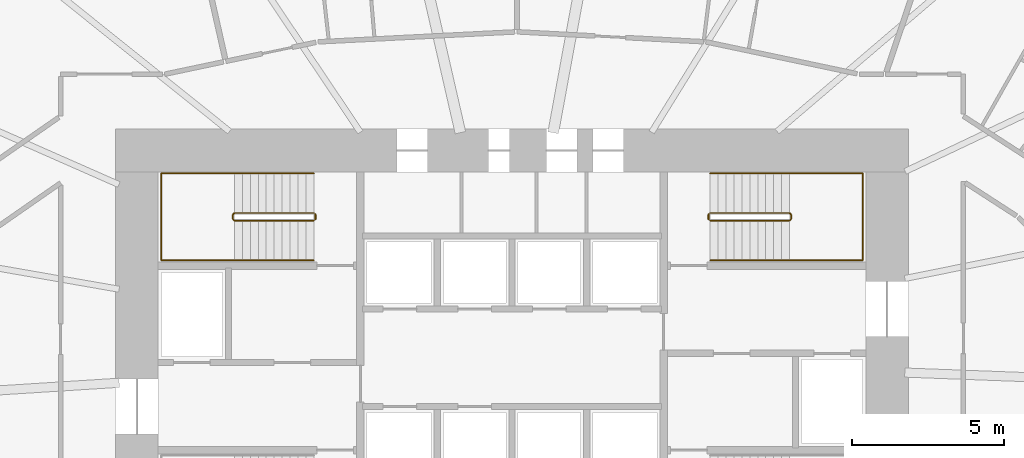
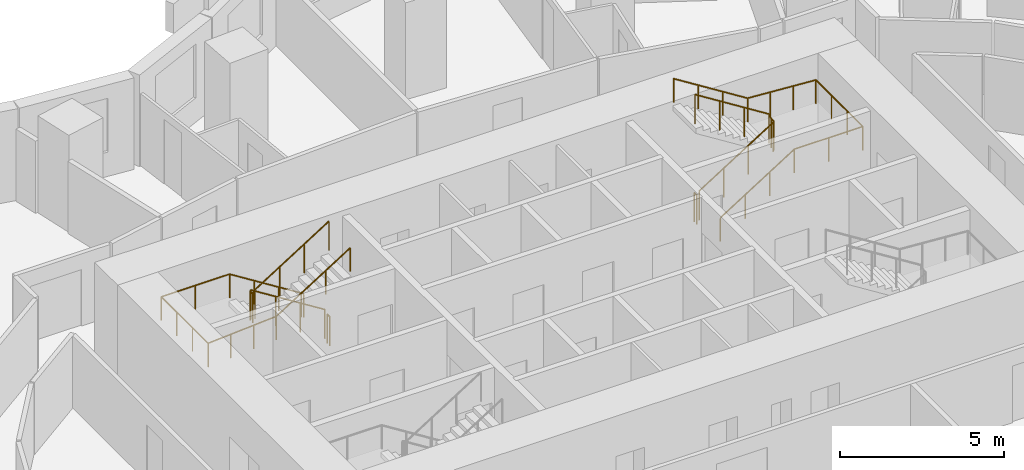
# One storey, part 14 of 14: 6 railings.
"""IFC4 building model written with IfcOpenShell, lengths in metres."""

from ifc_helpers import new_model, si_unit, direction, frame, origin, origin_2d, place, context, subcontext, project, spatial, circle, extrude, material, type_object, element, save


model = new_model("IFC4")

# Units and contexts
model_context = context("Model", 3, precision=1e-05, world=origin(), true_north=direction((0.0, 1.0)))
body_context = subcontext(model_context, "Body", "Model", "MODEL_VIEW")
ifc_project = project(units=[si_unit("LENGTHUNIT", "METRE"), si_unit("AREAUNIT", "SQUARE_METRE"), si_unit("VOLUMEUNIT", "CUBIC_METRE"), si_unit("PLANEANGLEUNIT", "RADIAN"), si_unit("MASSUNIT", "GRAM", prefix="KILO")], contexts=[model_context])

# Site, building, storey
site_placement = place(None, origin())
site = spatial("IfcSite", under=ifc_project, at=site_placement, CompositionType="ELEMENT")
building_placement = place(site_placement, origin())
building = spatial("IfcBuilding", under=site, at=building_placement, Name="Rubra Terraces Tower", CompositionType="ELEMENT")
storey_placement = place(building_placement, frame((0.0, 0.0, 62.699951171875)))
storey = spatial("IfcBuildingStorey", under=building, at=storey_placement, Name="L13", CompositionType="ELEMENT", Elevation=62.699951171875)

# Railings
ifc_material = material(Name="Stainless steel", Category="steel")
railing_type_1 = type_object("IfcRailingType", Name="Core stair guard 1100", PredefinedType="GUARDRAIL", material=ifc_material)
railing_1_placement = place(storey_placement, frame((-6.5, 9.25, 0.16357421875)))
element("IfcRailing", 1, at=railing_1_placement, inside=storey, type_object=railing_type_1, Name="L13 stair S2 guard 1", PredefinedType="GUARDRAIL", context=body_context, shape_type="SweptSolid", body=[
    extrude(circle(Radius=0.02392578125, at=origin_2d()), frame((0.0, 0.0, 1.076171875), z_axis=(-0.846324394277, 0.0, 0.532667832379), x_axis=(0.0, -1.0, 0.0)), (0.0, 0.0, 1.0), 3.072265625),
    extrude(circle(Radius=0.02392578125, at=origin_2d()), frame((-2.60009765625, 0.0, 2.71240234375), z_axis=(-0.705375805398, -0.708833529934, 0.0), x_axis=(0.708833529934, -0.705375805398, 0.0)), (0.0, 0.0, 1.0), 0.070556640625),
    extrude(circle(Radius=0.02392578125, at=origin_2d()), frame((-2.64990234375, -0.050048828125, 2.71240234375), z_axis=(0.0, -1.0, 0.0), x_axis=(1.0, 0.0, 0.0)), (0.0, 0.0, 1.0), 0.14990234375),
    extrude(circle(Radius=0.02392578125, at=origin_2d()), frame((-2.64990234375, -0.199951171875, 2.71240234375), z_axis=(0.279546231943, -0.280916556609, 0.91811752648), x_axis=(0.708833529934, 0.705375805398, 0.0)), (0.0, 0.0, 1.0), 0.17822265625),
    extrude(circle(Radius=0.02392578125, at=origin_2d()), frame((-2.60009765625, -0.25, 2.8759765625), z_axis=(0.846324394277, 0.0, 0.532667832379), x_axis=(0.0, 1.0, 0.0)), (0.0, 0.0, 1.0), 3.072265625),
    extrude(circle(Radius=0.02099609375, at=origin_2d()), origin(), (0.0, 0.0, 1.0), 1.052001953125),
    extrude(circle(Radius=0.02099609375, at=origin_2d()), frame((-0.86669921875, 0.0, 0.54541015625)), (0.0, 0.0, 1.0), 1.052001953125),
    extrude(circle(Radius=0.02099609375, at=origin_2d()), frame((-1.7333984375, 0.0, 1.091064453125)), (0.0, 0.0, 1.0), 1.052001953125),
    extrude(circle(Radius=0.02099609375, at=origin_2d()), frame((-2.60009765625, 0.0, 1.636474609375)), (0.0, 0.0, 1.0), 1.052001953125),
    extrude(circle(Radius=0.02099609375, at=origin_2d()), frame((-2.64990234375, -0.050048828125, 1.636474609375)), (0.0, 0.0, 1.0), 1.052001953125),
    extrude(circle(Radius=0.02099609375, at=origin_2d()), frame((-2.64990234375, -0.199951171875, 1.636474609375)), (0.0, 0.0, 1.0), 1.052001953125),
    extrude(circle(Radius=0.02099609375, at=origin_2d()), frame((-2.60009765625, -0.25, 1.800048828125)), (0.0, 0.0, 1.0), 1.052001953125),
    extrude(circle(Radius=0.02099609375, at=origin_2d()), frame((-1.7333984375, -0.25, 2.345458984375)), (0.0, 0.0, 1.0), 1.052001953125),
    extrude(circle(Radius=0.02099609375, at=origin_2d()), frame((-0.86669921875, -0.25, 2.89111328125)), (0.0, 0.0, 1.0), 1.052001953125),
    extrude(circle(Radius=0.02099609375, at=origin_2d()), frame((0.0, -0.25, 3.4365234375)), (0.0, 0.0, 1.0), 1.052001953125),
])
railing_2_placement = place(storey_placement, frame((-6.449951171875, 9.199951171875, 0.0)))
element("IfcRailing", 2, at=railing_2_placement, inside=storey, type_object=railing_type_1, Name="L13 stair S2 guard 2", PredefinedType="GUARDRAIL", context=body_context, shape_type="SweptSolid", body=[
    extrude(circle(Radius=0.02392578125, at=origin_2d()), frame((0.0, 0.0, 1.076171875), z_axis=(0.0, -1.0, 0.0), x_axis=(1.0, 0.0, 0.0)), (0.0, 0.0, 1.0), 0.14990234375),
    extrude(circle(Radius=0.02099609375, at=origin_2d()), origin(), (0.0, 0.0, 1.0), 1.052001953125),
    extrude(circle(Radius=0.02099609375, at=origin_2d()), frame((0.0, -0.14990234375, 0.0)), (0.0, 0.0, 1.0), 1.052001953125),
])
railing_3_placement = place(storey_placement, frame((6.5, 9.0, 0.16357421875)))
element("IfcRailing", 3, at=railing_3_placement, inside=storey, type_object=railing_type_1, Name="L13 stair S3 guard 1", PredefinedType="GUARDRAIL", context=body_context, shape_type="SweptSolid", body=[
    extrude(circle(Radius=0.02392578125, at=origin_2d()), frame((0.0, 0.0, 1.076171875), z_axis=(0.846324394277, 0.0, 0.532667832379), x_axis=(0.0, 1.0, 0.0)), (0.0, 0.0, 1.0), 3.072265625),
    extrude(circle(Radius=0.02392578125, at=origin_2d()), frame((2.60009765625, 0.0, 2.71240234375), z_axis=(0.705375805398, 0.708833529934, 0.0), x_axis=(-0.708833529934, 0.705375805398, 0.0)), (0.0, 0.0, 1.0), 0.070556640625),
    extrude(circle(Radius=0.02392578125, at=origin_2d()), frame((2.64990234375, 0.050048828125, 2.71240234375), z_axis=(0.0, 1.0, 0.0), x_axis=(-1.0, 0.0, 0.0)), (0.0, 0.0, 1.0), 0.14990234375),
    extrude(circle(Radius=0.02392578125, at=origin_2d()), frame((2.64990234375, 0.199951171875, 2.71240234375), z_axis=(-0.279546231943, 0.280916556609, 0.91811752648), x_axis=(-0.708833529934, -0.705375805398, 0.0)), (0.0, 0.0, 1.0), 0.17822265625),
    extrude(circle(Radius=0.02392578125, at=origin_2d()), frame((2.60009765625, 0.25, 2.8759765625), z_axis=(-0.846324394277, 0.0, 0.532667832379), x_axis=(0.0, -1.0, 0.0)), (0.0, 0.0, 1.0), 3.072265625),
    extrude(circle(Radius=0.02099609375, at=origin_2d()), origin(), (0.0, 0.0, 1.0), 1.052001953125),
    extrude(circle(Radius=0.02099609375, at=origin_2d()), frame((0.86669921875, 0.0, 0.54541015625)), (0.0, 0.0, 1.0), 1.052001953125),
    extrude(circle(Radius=0.02099609375, at=origin_2d()), frame((1.7333984375, 0.0, 1.091064453125)), (0.0, 0.0, 1.0), 1.052001953125),
    extrude(circle(Radius=0.02099609375, at=origin_2d()), frame((2.60009765625, 0.0, 1.636474609375)), (0.0, 0.0, 1.0), 1.052001953125),
    extrude(circle(Radius=0.02099609375, at=origin_2d()), frame((2.64990234375, 0.050048828125, 1.636474609375)), (0.0, 0.0, 1.0), 1.052001953125),
    extrude(circle(Radius=0.02099609375, at=origin_2d()), frame((2.64990234375, 0.199951171875, 1.636474609375)), (0.0, 0.0, 1.0), 1.052001953125),
    extrude(circle(Radius=0.02099609375, at=origin_2d()), frame((2.60009765625, 0.25, 1.800048828125)), (0.0, 0.0, 1.0), 1.052001953125),
    extrude(circle(Radius=0.02099609375, at=origin_2d()), frame((1.7333984375, 0.25, 2.345458984375)), (0.0, 0.0, 1.0), 1.052001953125),
    extrude(circle(Radius=0.02099609375, at=origin_2d()), frame((0.86669921875, 0.25, 2.89111328125)), (0.0, 0.0, 1.0), 1.052001953125),
    extrude(circle(Radius=0.02099609375, at=origin_2d()), frame((0.0, 0.25, 3.4365234375)), (0.0, 0.0, 1.0), 1.052001953125),
])
railing_4_placement = place(storey_placement, frame((6.449951171875, 9.050048828125, 0.0)))
element("IfcRailing", 4, at=railing_4_placement, inside=storey, type_object=railing_type_1, Name="L13 stair S3 guard 2", PredefinedType="GUARDRAIL", context=body_context, shape_type="SweptSolid", body=[
    extrude(circle(Radius=0.02392578125, at=origin_2d()), frame((0.0, 0.0, 1.076171875), z_axis=(0.0, 1.0, 0.0), x_axis=(-1.0, 0.0, 0.0)), (0.0, 0.0, 1.0), 0.14990234375),
    extrude(circle(Radius=0.02099609375, at=origin_2d()), origin(), (0.0, 0.0, 1.0), 1.052001953125),
    extrude(circle(Radius=0.02099609375, at=origin_2d()), frame((0.0, 0.14990234375, 0.0)), (0.0, 0.0, 1.0), 1.052001953125),
])
railing_type_2 = type_object("IfcRailingType", Name="Core stair handrail 900", PredefinedType="HANDRAIL", material=ifc_material)
railing_5_placement = place(storey_placement, frame((-6.5, 10.550048828125, 0.16357421875)))
element("IfcRailing", 5, at=railing_5_placement, inside=storey, type_object=railing_type_2, Name="L13 stair S2 handrail 1", PredefinedType="HANDRAIL", context=body_context, shape_type="SweptSolid", body=[
    extrude(circle(Radius=0.02392578125, at=origin_2d()), frame((0.0, 0.0, 0.8759765625), z_axis=(-0.846324394277, 0.0, 0.532667832379), x_axis=(0.0, -1.0, 0.0)), (0.0, 0.0, 1.0), 3.072265625),
    extrude(circle(Radius=0.02392578125, at=origin_2d()), frame((-2.60009765625, 0.0, 2.51220703125), z_axis=(-1.0, 0.0, 0.0), x_axis=(0.0, -1.0, 0.0)), (0.0, 0.0, 1.0), 2.39990234375),
    extrude(circle(Radius=0.02392578125, at=origin_2d()), frame((-5.0, 0.0, 2.51220703125), z_axis=(0.0, -1.0, 0.0), x_axis=(1.0, 0.0, 0.0)), (0.0, 0.0, 1.0), 2.85009765625),
    extrude(circle(Radius=0.02392578125, at=origin_2d()), frame((-5.0, -2.85009765625, 2.51220703125), z_axis=(0.997685257876, 0.0, 0.068000928055), x_axis=(0.0, 1.0, 0.0)), (0.0, 0.0, 1.0), 2.405517578125),
    extrude(circle(Radius=0.02392578125, at=origin_2d()), frame((-2.60009765625, -2.85009765625, 2.67578125), z_axis=(0.846324394277, 0.0, 0.532667832379), x_axis=(0.0, 1.0, 0.0)), (0.0, 0.0, 1.0), 3.072265625),
    extrude(circle(Radius=0.02099609375, at=origin_2d()), origin(), (0.0, 0.0, 1.0), 0.851806640625),
    extrude(circle(Radius=0.02099609375, at=origin_2d()), frame((-0.86669921875, 0.0, 0.54541015625)), (0.0, 0.0, 1.0), 0.851806640625),
    extrude(circle(Radius=0.02099609375, at=origin_2d()), frame((-1.7333984375, 0.0, 1.091064453125)), (0.0, 0.0, 1.0), 0.851806640625),
    extrude(circle(Radius=0.02099609375, at=origin_2d()), frame((-2.60009765625, 0.0, 1.636474609375)), (0.0, 0.0, 1.0), 0.851806640625),
    extrude(circle(Radius=0.02099609375, at=origin_2d()), frame((-3.800048828125, 0.0, 1.636474609375)), (0.0, 0.0, 1.0), 0.851806640625),
    extrude(circle(Radius=0.02099609375, at=origin_2d()), frame((-5.0, 0.0, 1.636474609375)), (0.0, 0.0, 1.0), 0.851806640625),
    extrude(circle(Radius=0.02099609375, at=origin_2d()), frame((-5.0, -0.949951171875, 1.636474609375)), (0.0, 0.0, 1.0), 0.851806640625),
    extrude(circle(Radius=0.02099609375, at=origin_2d()), frame((-5.0, -1.900146484375, 1.636474609375)), (0.0, 0.0, 1.0), 0.851806640625),
    extrude(circle(Radius=0.02099609375, at=origin_2d()), frame((-5.0, -2.85009765625, 1.636474609375)), (0.0, 0.0, 1.0), 0.851806640625),
    extrude(circle(Radius=0.02099609375, at=origin_2d()), frame((-4.199951171875, -2.85009765625, 1.69091796875)), (0.0, 0.0, 1.0), 0.851806640625),
    extrude(circle(Radius=0.02099609375, at=origin_2d()), frame((-3.400146484375, -2.85009765625, 1.74560546875)), (0.0, 0.0, 1.0), 0.851806640625),
    extrude(circle(Radius=0.02099609375, at=origin_2d()), frame((-2.60009765625, -2.85009765625, 1.800048828125)), (0.0, 0.0, 1.0), 0.851806640625),
    extrude(circle(Radius=0.02099609375, at=origin_2d()), frame((-1.7333984375, -2.85009765625, 2.345458984375)), (0.0, 0.0, 1.0), 0.851806640625),
    extrude(circle(Radius=0.02099609375, at=origin_2d()), frame((-0.86669921875, -2.85009765625, 2.89111328125)), (0.0, 0.0, 1.0), 0.851806640625),
    extrude(circle(Radius=0.02099609375, at=origin_2d()), frame((0.0, -2.85009765625, 3.4365234375)), (0.0, 0.0, 1.0), 0.851806640625),
])
railing_6_placement = place(storey_placement, frame((6.5, 7.699951171875, 0.16357421875)))
element("IfcRailing", 6, at=railing_6_placement, inside=storey, type_object=railing_type_2, Name="L13 stair S3 handrail 1", PredefinedType="HANDRAIL", context=body_context, shape_type="SweptSolid", body=[
    extrude(circle(Radius=0.02392578125, at=origin_2d()), frame((0.0, 0.0, 0.8759765625), z_axis=(0.846324394277, 0.0, 0.532667832379), x_axis=(0.0, 1.0, 0.0)), (0.0, 0.0, 1.0), 3.072265625),
    extrude(circle(Radius=0.02392578125, at=origin_2d()), frame((2.60009765625, 0.0, 2.51220703125), z_axis=(1.0, 0.0, 0.0), x_axis=(0.0, 1.0, 0.0)), (0.0, 0.0, 1.0), 2.39990234375),
    extrude(circle(Radius=0.02392578125, at=origin_2d()), frame((5.0, 0.0, 2.51220703125), z_axis=(0.0, 1.0, 0.0), x_axis=(-1.0, 0.0, 0.0)), (0.0, 0.0, 1.0), 2.85009765625),
    extrude(circle(Radius=0.02392578125, at=origin_2d()), frame((5.0, 2.85009765625, 2.51220703125), z_axis=(-0.997685257876, 0.0, 0.068000928055), x_axis=(0.0, -1.0, 0.0)), (0.0, 0.0, 1.0), 2.405517578125),
    extrude(circle(Radius=0.02392578125, at=origin_2d()), frame((2.60009765625, 2.85009765625, 2.67578125), z_axis=(-0.846324394277, 0.0, 0.532667832379), x_axis=(0.0, -1.0, 0.0)), (0.0, 0.0, 1.0), 3.072265625),
    extrude(circle(Radius=0.02099609375, at=origin_2d()), origin(), (0.0, 0.0, 1.0), 0.851806640625),
    extrude(circle(Radius=0.02099609375, at=origin_2d()), frame((0.86669921875, 0.0, 0.54541015625)), (0.0, 0.0, 1.0), 0.851806640625),
    extrude(circle(Radius=0.02099609375, at=origin_2d()), frame((1.7333984375, 0.0, 1.091064453125)), (0.0, 0.0, 1.0), 0.851806640625),
    extrude(circle(Radius=0.02099609375, at=origin_2d()), frame((2.60009765625, 0.0, 1.636474609375)), (0.0, 0.0, 1.0), 0.851806640625),
    extrude(circle(Radius=0.02099609375, at=origin_2d()), frame((3.800048828125, 0.0, 1.636474609375)), (0.0, 0.0, 1.0), 0.851806640625),
    extrude(circle(Radius=0.02099609375, at=origin_2d()), frame((5.0, 0.0, 1.636474609375)), (0.0, 0.0, 1.0), 0.851806640625),
    extrude(circle(Radius=0.02099609375, at=origin_2d()), frame((5.0, 0.949951171875, 1.636474609375)), (0.0, 0.0, 1.0), 0.851806640625),
    extrude(circle(Radius=0.02099609375, at=origin_2d()), frame((5.0, 1.900146484375, 1.636474609375)), (0.0, 0.0, 1.0), 0.851806640625),
    extrude(circle(Radius=0.02099609375, at=origin_2d()), frame((5.0, 2.85009765625, 1.636474609375)), (0.0, 0.0, 1.0), 0.851806640625),
    extrude(circle(Radius=0.02099609375, at=origin_2d()), frame((4.199951171875, 2.85009765625, 1.69091796875)), (0.0, 0.0, 1.0), 0.851806640625),
    extrude(circle(Radius=0.02099609375, at=origin_2d()), frame((3.400146484375, 2.85009765625, 1.74560546875)), (0.0, 0.0, 1.0), 0.851806640625),
    extrude(circle(Radius=0.02099609375, at=origin_2d()), frame((2.60009765625, 2.85009765625, 1.800048828125)), (0.0, 0.0, 1.0), 0.851806640625),
    extrude(circle(Radius=0.02099609375, at=origin_2d()), frame((1.7333984375, 2.85009765625, 2.345458984375)), (0.0, 0.0, 1.0), 0.851806640625),
    extrude(circle(Radius=0.02099609375, at=origin_2d()), frame((0.86669921875, 2.85009765625, 2.89111328125)), (0.0, 0.0, 1.0), 0.851806640625),
    extrude(circle(Radius=0.02099609375, at=origin_2d()), frame((0.0, 2.85009765625, 3.4365234375)), (0.0, 0.0, 1.0), 0.851806640625),
])

save(model, "model.ifc")
